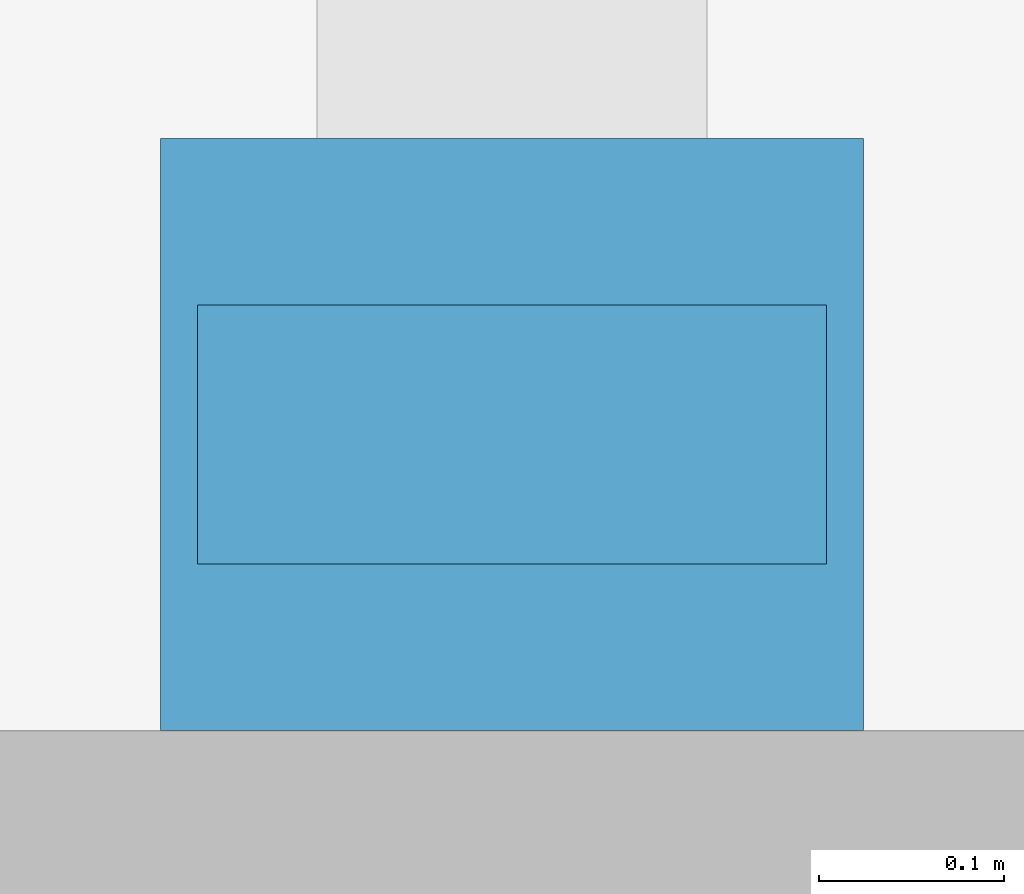
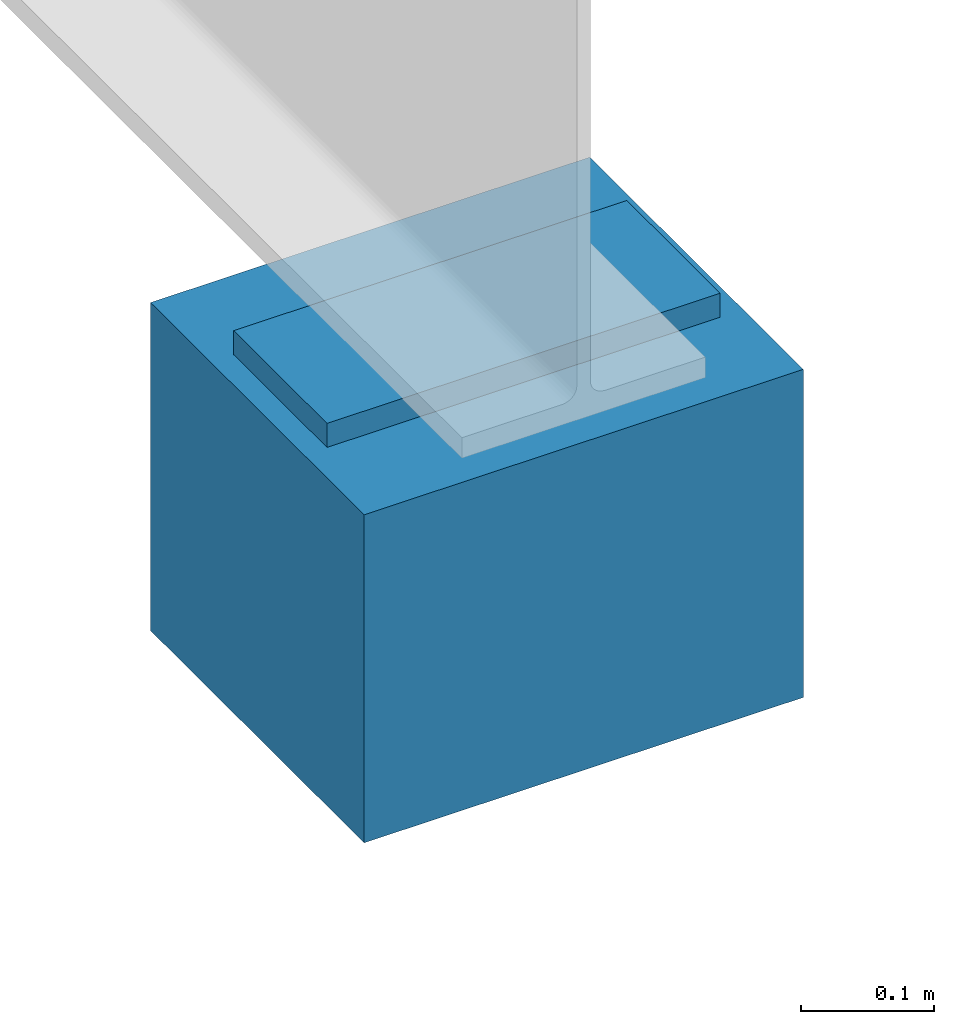
# One storey, part 85 of 93: 2 discrete accessories.
"""IFC4 building model written with IfcOpenShell, lengths in metres."""

import ifcopenshell
import ifcopenshell.guid

model = None  # the IFC model being written
_history = None  # IfcOwnerHistory: only IFC2X3 demands one
_inside = {}  # id of a spatial element -> (the spatial element, [elements in it])
_under = {}  # id of a project, library or spatial element -> (it, [spatial elements below it])
_declared = {}  # id of a project -> (the project, [libraries it declares])
_typed = {}  # id of a type object -> (the type object, [elements of that type])
_made_of = {}  # id of a material, layer set ... -> (it, [elements and type objects made of it])


def new_model(schema):
    """Start an empty IFC model of exactly this schema.

    Asked for "IFC4X3", IfcOpenShell would pick the latest addendum, in which some entities
    have other attributes; the version numbers below select the first issue.
    IFC2X3 requires an IfcOwnerHistory on every rooted entity: one is made here for all.
    """
    global model, _history
    if schema == "IFC4X3":
        model = ifcopenshell.file(schema_version=(4, 3, 0, 0))
    else:
        model = ifcopenshell.file(schema=schema)
    _inside.clear()
    _under.clear()
    _declared.clear()
    _typed.clear()
    _made_of.clear()
    _history = None
    if model.schema == "IFC2X3":
        org = make("IfcOrganization", Name="unknown")
        user = make(
            "IfcPersonAndOrganization",
            ThePerson=make("IfcPerson", FamilyName="unknown"),
            TheOrganization=org,
        )
        app = make(
            "IfcApplication",
            ApplicationDeveloper=org,
            Version="unknown",
            ApplicationFullName="unknown",
            ApplicationIdentifier="unknown",
        )
        _history = make(
            "IfcOwnerHistory",
            OwningUser=user,
            OwningApplication=app,
            ChangeAction="ADDED",
            CreationDate=0,
        )
    return model


def make(cls, **values):
    """One entity of the class cls with the attributes given. An attribute that is None is left unset."""
    return model.create_entity(
        cls, **{name: value for name, value in values.items() if value is not None}
    )


def rooted(cls, **values):
    """An entity with a GlobalId (a new one), such as an element, a storey or a relation."""
    return make(cls, GlobalId=ifcopenshell.guid.new(), OwnerHistory=_history, **values)


def si_unit(unit_type, name, prefix=None):
    """IfcSIUnit, for example si_unit("LENGTHUNIT", "METRE", prefix="MILLI")."""
    return make("IfcSIUnit", UnitType=unit_type, Prefix=prefix, Name=name)


def assignment(units):
    """IfcUnitAssignment: the units of a project."""
    return None if units is None else make("IfcUnitAssignment", Units=units)


def point(xyz):
    """IfcCartesianPoint."""
    return None if xyz is None else make("IfcCartesianPoint", Coordinates=xyz)


def direction(xyz):
    """IfcDirection."""
    return None if xyz is None else make("IfcDirection", DirectionRatios=xyz)


def frame(location, z_axis=None, x_axis=None):
    """IfcAxis2Placement3D, a coordinate frame: its origin and axes. An axis left out is left unset."""
    return make(
        "IfcAxis2Placement3D",
        Location=point(location),
        Axis=direction(z_axis),
        RefDirection=direction(x_axis),
    )


def frame_2d(location, x_axis=None):
    """IfcAxis2Placement2D, a coordinate frame in the plane: its origin and x axis."""
    return make(
        "IfcAxis2Placement2D", Location=point(location), RefDirection=direction(x_axis)
    )


def origin():
    """The frame at (0, 0, 0) with its axes left unset."""
    return frame((0.0, 0.0, 0.0))


def origin_2d():
    """The frame at (0, 0) in the plane with its x axis left unset."""
    return frame_2d((0.0, 0.0))


def place(relative_to, where):
    """IfcLocalPlacement: puts the frame where relative to a parent placement (None: the world)."""
    return make(
        "IfcLocalPlacement", PlacementRelTo=relative_to, RelativePlacement=where
    )


def context(
    kind, dimensions, precision=None, world=None, true_north=None, identifier=None
):
    """IfcGeometricRepresentationContext, for example the 3D "Model" context."""
    return make(
        "IfcGeometricRepresentationContext",
        ContextIdentifier=identifier,
        ContextType=kind,
        CoordinateSpaceDimension=dimensions,
        Precision=precision,
        WorldCoordinateSystem=world,
        TrueNorth=true_north,
    )


def subcontext(parent, identifier, kind, view, scale=None):
    """IfcGeometricRepresentationSubContext, for example "Body" below "Model"."""
    return make(
        "IfcGeometricRepresentationSubContext",
        ContextIdentifier=identifier,
        ContextType=kind,
        ParentContext=parent,
        TargetScale=scale,
        TargetView=view,
    )


def project(units=None, contexts=None):
    """IfcProject with its units and contexts."""
    return rooted(
        "IfcProject",
        Name="project",
        RepresentationContexts=contexts,
        UnitsInContext=assignment(units),
    )


def spatial(cls, under=None, at=None, **own):
    """A site, building, storey or space (cls), placed at a placement, below another one or the project."""
    s = rooted(cls, ObjectPlacement=at, **own)
    if under is not None:
        _under.setdefault(under.id(), (under, []))[1].append(s)
    return s


def profile(cls, at=None, kind="AREA", **sizes):
    """A parametric profile (cls). Its sizes go by their IFC names, for example OverallWidth=200.0."""
    return make(cls, ProfileType=kind, Position=at, **sizes)


def rectangle(**sizes):
    """IfcRectangleProfileDef."""
    return profile("IfcRectangleProfileDef", **sizes)


def extrude(swept, where, along, depth):
    """IfcExtrudedAreaSolid: the profile swept, set in the frame where, extruded along a direction by depth."""
    return make(
        "IfcExtrudedAreaSolid",
        SweptArea=swept,
        Position=where,
        ExtrudedDirection=direction(along),
        Depth=depth,
    )


def shape(context_of_items, identifier, shape_type, items):
    """IfcShapeRepresentation: the items that make up one representation, for example the "Body"."""
    return make(
        "IfcShapeRepresentation",
        ContextOfItems=context_of_items,
        RepresentationIdentifier=identifier,
        RepresentationType=shape_type,
        Items=items,
    )


def material(Name=None, Category=None):
    """IfcMaterial."""
    return make("IfcMaterial", Name=Name, Category=Category)


def layer(
    of_material, thickness, ventilated=None, Name=None, Category=None, Priority=None
):
    """IfcMaterialLayer: one layer of a wall or slab, of a material (None: an air gap)."""
    return make(
        "IfcMaterialLayer",
        Material=of_material,
        LayerThickness=thickness,
        IsVentilated=ventilated,
        Name=Name,
        Category=Category,
        Priority=Priority,
    )


def layer_set(layers, Name=None):
    """IfcMaterialLayerSet."""
    return make("IfcMaterialLayerSet", MaterialLayers=layers, LayerSetName=Name)


def made_of(thing, what):
    """Note that an element or type object is made of a material, layer set ...; save() writes the relation."""
    if what is not None:
        _made_of.setdefault(what.id(), (what, []))[1].append(thing)
    return thing


def type_object(cls, material=None, **own):
    """A type object (cls), such as IfcWallType, which elements share."""
    return made_of(rooted(cls, **own), material)


def element(
    cls,
    number,
    at=None,
    inside=None,
    cuts=None,
    type_object=None,
    material=None,
    context=None,
    identifier="Body",
    shape_type=None,
    held_by="IfcProductDefinitionShape",
    body=None,
    shapes=None,
    **own,
):
    """One element of the class cls, such as IfcWall. Its Tag is "e" and its number.

    at: its placement. inside: the storey or other place that contains it. cuts: it is an
    opening in that element (IfcRelVoidsElement). A single representation is given by context,
    identifier, shape_type and body (its items); several are given by shapes. held_by: the class
    of the entity that holds the representations. save() writes the other relations.
    """
    e = rooted(cls, Tag="e%d" % number, ObjectPlacement=at, **own)
    if body is not None:
        shapes = [shape(context, identifier, shape_type, body)]
    if shapes is not None:
        e.Representation = make(held_by, Representations=shapes)
    if inside is not None:
        _inside.setdefault(inside.id(), (inside, []))[1].append(e)
    if cuts is not None:
        rooted(
            "IfcRelVoidsElement", RelatingBuildingElement=cuts, RelatedOpeningElement=e
        )
    if type_object is not None:
        _typed.setdefault(type_object.id(), (type_object, []))[1].append(e)
    return made_of(e, material)


def aggregate(whole, parts):
    """IfcRelAggregates: a whole, such as a stair, and the parts it consists of."""
    return rooted("IfcRelAggregates", RelatingObject=whole, RelatedObjects=parts)


def save(model, path):
    """Write the relations noted so far, then the file.

    IfcRelAggregates (storeys below a building ...), IfcRelContainedInSpatialStructure (elements
    in a storey), IfcRelDefinesByType, IfcRelAssociatesMaterial and IfcRelDeclares: one each for
    every whole, place, type object, material and project.
    """
    for whole, parts in _under.values():
        aggregate(whole, parts)
    for where, things in _inside.values():
        rooted(
            "IfcRelContainedInSpatialStructure",
            RelatedElements=things,
            RelatingStructure=where,
        )
    for kind, things in _typed.values():
        rooted("IfcRelDefinesByType", RelatedObjects=things, RelatingType=kind)
    for what, things in _made_of.values():
        rooted("IfcRelAssociatesMaterial", RelatedObjects=things, RelatingMaterial=what)
    for by, libraries in _declared.values():
        rooted("IfcRelDeclares", RelatingContext=by, RelatedDefinitions=libraries)
    model.write(path)


model = new_model("IFC4")

# Units and contexts
model_context = context("Model", 3, precision=1e-05, world=origin(), true_north=direction((0.0, 1.0)))
body_context = subcontext(model_context, "Body", "Model", "MODEL_VIEW")
ifc_project = project(units=[si_unit("LENGTHUNIT", "METRE"), si_unit("AREAUNIT", "SQUARE_METRE"), si_unit("VOLUMEUNIT", "CUBIC_METRE"), si_unit("PLANEANGLEUNIT", "RADIAN"), si_unit("MASSUNIT", "GRAM", prefix="KILO"), si_unit("THERMODYNAMICTEMPERATUREUNIT", "KELVIN")], contexts=[model_context])

# Site, building, storey
site_placement = place(None, origin())
site = spatial("IfcSite", under=ifc_project, at=site_placement, CompositionType="ELEMENT")
building_placement = place(site_placement, origin())
building = spatial("IfcBuilding", under=site, at=building_placement, Name="Nduvali Passage Aquatics Centre", CompositionType="ELEMENT")
storey_placement = place(building_placement, frame((0.0, 0.0, 9.0)))
storey = spatial("IfcBuildingStorey", under=building, at=storey_placement, Name="L02", CompositionType="ELEMENT", Elevation=9.0)

# Discrete accessories
ifc_material_1 = material(Name="Concrete C40/50", Category="concrete")
discrete_accessory_type_1 = type_object("IfcDiscreteAccessoryType", Name="STR-ACC-CRB320", PredefinedType="BRACKET", material=ifc_material_1)
discrete_accessory_1_placement = place(storey_placement, frame((111.60009765625, 93.010009765625, -1.12548828125), z_axis=(0.0, 0.0, 1.0), x_axis=(0.0, 1.0, 0.0)))
element("IfcDiscreteAccessory", 1, at=discrete_accessory_1_placement, inside=storey, type_object=discrete_accessory_type_1, Name="L02 Movement Joint MJ2 RC Corbel CRB1-015", PredefinedType="BRACKET", context=body_context, shape_type="SweptSolid", body=[
    extrude(rectangle(XDim=0.320068359375, YDim=0.3798828125, at=origin_2d()), origin(), (0.0, 0.0, 1.0), 0.300048828125),
])
ifc_material_2 = material(Name="Steel S355", Category="steel")
ifc_layer = layer(ifc_material_2, 0.02197265625, Name="Steel S355")
ifc_layer_set = layer_set([ifc_layer], Name="Steel S355")
discrete_accessory_type_2 = type_object("IfcDiscreteAccessoryType", Name="STR-ACC-PTFE140", PredefinedType="SHOE", material=ifc_layer_set)
discrete_accessory_2_placement = place(storey_placement, frame((111.60009765625, 93.010009765625, -0.825439453125), z_axis=(0.0, 0.0, 1.0), x_axis=(0.0, 1.0, 0.0)))
element("IfcDiscreteAccessory", 2, at=discrete_accessory_2_placement, inside=storey, type_object=discrete_accessory_type_2, Name="L02 Movement Joint MJ2 PTFE Bearing Pad PTFE1-015", PredefinedType="SHOE", context=body_context, shape_type="SweptSolid", body=[
    extrude(rectangle(XDim=0.139892578125, YDim=0.340087890625, at=origin_2d()), origin(), (0.0, 0.0, 1.0), 0.02197265625),
])

save(model, "model.ifc")
